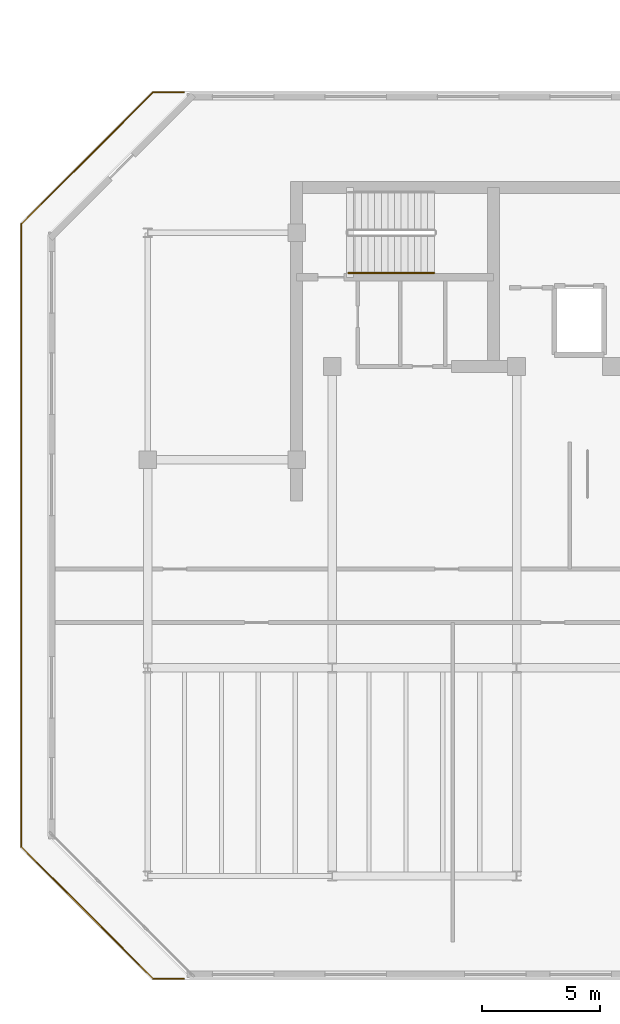
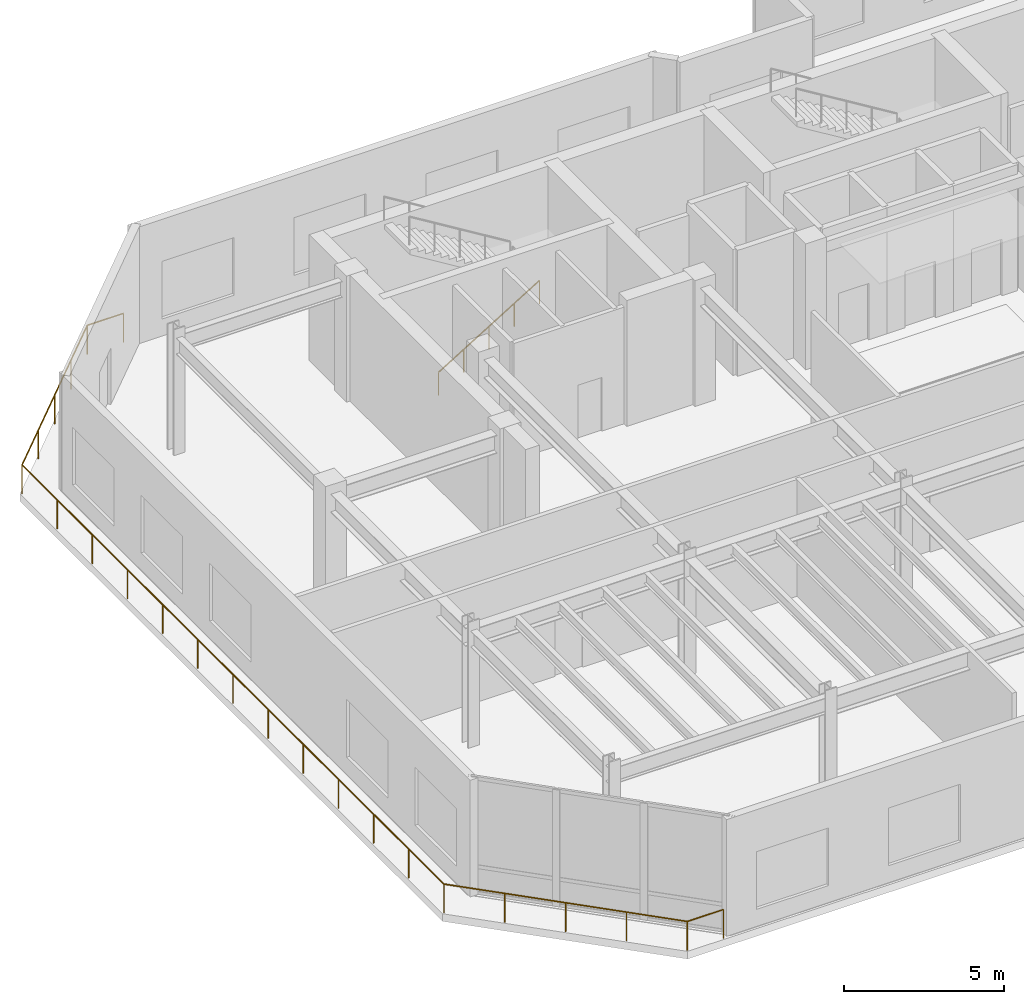
# One storey, part 10 of 12: 2 railings.
"""IFC4 building model written with IfcOpenShell, lengths in metres."""

import ifcopenshell
import ifcopenshell.guid

model = None  # the IFC model being written
_history = None  # IfcOwnerHistory: only IFC2X3 demands one
_inside = {}  # id of a spatial element -> (the spatial element, [elements in it])
_under = {}  # id of a project, library or spatial element -> (it, [spatial elements below it])
_declared = {}  # id of a project -> (the project, [libraries it declares])
_typed = {}  # id of a type object -> (the type object, [elements of that type])
_made_of = {}  # id of a material, layer set ... -> (it, [elements and type objects made of it])


def new_model(schema):
    """Start an empty IFC model of exactly this schema.

    Asked for "IFC4X3", IfcOpenShell would pick the latest addendum, in which some entities
    have other attributes; the version numbers below select the first issue.
    IFC2X3 requires an IfcOwnerHistory on every rooted entity: one is made here for all.
    """
    global model, _history
    if schema == "IFC4X3":
        model = ifcopenshell.file(schema_version=(4, 3, 0, 0))
    else:
        model = ifcopenshell.file(schema=schema)
    _inside.clear()
    _under.clear()
    _declared.clear()
    _typed.clear()
    _made_of.clear()
    _history = None
    if model.schema == "IFC2X3":
        org = make("IfcOrganization", Name="unknown")
        user = make(
            "IfcPersonAndOrganization",
            ThePerson=make("IfcPerson", FamilyName="unknown"),
            TheOrganization=org,
        )
        app = make(
            "IfcApplication",
            ApplicationDeveloper=org,
            Version="unknown",
            ApplicationFullName="unknown",
            ApplicationIdentifier="unknown",
        )
        _history = make(
            "IfcOwnerHistory",
            OwningUser=user,
            OwningApplication=app,
            ChangeAction="ADDED",
            CreationDate=0,
        )
    return model


def make(cls, **values):
    """One entity of the class cls with the attributes given. An attribute that is None is left unset."""
    return model.create_entity(
        cls, **{name: value for name, value in values.items() if value is not None}
    )


def rooted(cls, **values):
    """An entity with a GlobalId (a new one), such as an element, a storey or a relation."""
    return make(cls, GlobalId=ifcopenshell.guid.new(), OwnerHistory=_history, **values)


def si_unit(unit_type, name, prefix=None):
    """IfcSIUnit, for example si_unit("LENGTHUNIT", "METRE", prefix="MILLI")."""
    return make("IfcSIUnit", UnitType=unit_type, Prefix=prefix, Name=name)


def assignment(units):
    """IfcUnitAssignment: the units of a project."""
    return None if units is None else make("IfcUnitAssignment", Units=units)


def point(xyz):
    """IfcCartesianPoint."""
    return None if xyz is None else make("IfcCartesianPoint", Coordinates=xyz)


def direction(xyz):
    """IfcDirection."""
    return None if xyz is None else make("IfcDirection", DirectionRatios=xyz)


def frame(location, z_axis=None, x_axis=None):
    """IfcAxis2Placement3D, a coordinate frame: its origin and axes. An axis left out is left unset."""
    return make(
        "IfcAxis2Placement3D",
        Location=point(location),
        Axis=direction(z_axis),
        RefDirection=direction(x_axis),
    )


def frame_2d(location, x_axis=None):
    """IfcAxis2Placement2D, a coordinate frame in the plane: its origin and x axis."""
    return make(
        "IfcAxis2Placement2D", Location=point(location), RefDirection=direction(x_axis)
    )


def origin():
    """The frame at (0, 0, 0) with its axes left unset."""
    return frame((0.0, 0.0, 0.0))


def origin_2d():
    """The frame at (0, 0) in the plane with its x axis left unset."""
    return frame_2d((0.0, 0.0))


def place(relative_to, where):
    """IfcLocalPlacement: puts the frame where relative to a parent placement (None: the world)."""
    return make(
        "IfcLocalPlacement", PlacementRelTo=relative_to, RelativePlacement=where
    )


def context(
    kind, dimensions, precision=None, world=None, true_north=None, identifier=None
):
    """IfcGeometricRepresentationContext, for example the 3D "Model" context."""
    return make(
        "IfcGeometricRepresentationContext",
        ContextIdentifier=identifier,
        ContextType=kind,
        CoordinateSpaceDimension=dimensions,
        Precision=precision,
        WorldCoordinateSystem=world,
        TrueNorth=true_north,
    )


def subcontext(parent, identifier, kind, view, scale=None):
    """IfcGeometricRepresentationSubContext, for example "Body" below "Model"."""
    return make(
        "IfcGeometricRepresentationSubContext",
        ContextIdentifier=identifier,
        ContextType=kind,
        ParentContext=parent,
        TargetScale=scale,
        TargetView=view,
    )


def project(units=None, contexts=None):
    """IfcProject with its units and contexts."""
    return rooted(
        "IfcProject",
        Name="project",
        RepresentationContexts=contexts,
        UnitsInContext=assignment(units),
    )


def spatial(cls, under=None, at=None, **own):
    """A site, building, storey or space (cls), placed at a placement, below another one or the project."""
    s = rooted(cls, ObjectPlacement=at, **own)
    if under is not None:
        _under.setdefault(under.id(), (under, []))[1].append(s)
    return s


def profile(cls, at=None, kind="AREA", **sizes):
    """A parametric profile (cls). Its sizes go by their IFC names, for example OverallWidth=200.0."""
    return make(cls, ProfileType=kind, Position=at, **sizes)


def circle(**sizes):
    """IfcCircleProfileDef."""
    return profile("IfcCircleProfileDef", **sizes)


def extrude(swept, where, along, depth):
    """IfcExtrudedAreaSolid: the profile swept, set in the frame where, extruded along a direction by depth."""
    return make(
        "IfcExtrudedAreaSolid",
        SweptArea=swept,
        Position=where,
        ExtrudedDirection=direction(along),
        Depth=depth,
    )


def shape(context_of_items, identifier, shape_type, items):
    """IfcShapeRepresentation: the items that make up one representation, for example the "Body"."""
    return make(
        "IfcShapeRepresentation",
        ContextOfItems=context_of_items,
        RepresentationIdentifier=identifier,
        RepresentationType=shape_type,
        Items=items,
    )


def material(Name=None, Category=None):
    """IfcMaterial."""
    return make("IfcMaterial", Name=Name, Category=Category)


def made_of(thing, what):
    """Note that an element or type object is made of a material, layer set ...; save() writes the relation."""
    if what is not None:
        _made_of.setdefault(what.id(), (what, []))[1].append(thing)
    return thing


def type_object(cls, material=None, **own):
    """A type object (cls), such as IfcWallType, which elements share."""
    return made_of(rooted(cls, **own), material)


def element(
    cls,
    number,
    at=None,
    inside=None,
    cuts=None,
    type_object=None,
    material=None,
    context=None,
    identifier="Body",
    shape_type=None,
    held_by="IfcProductDefinitionShape",
    body=None,
    shapes=None,
    **own,
):
    """One element of the class cls, such as IfcWall. Its Tag is "e" and its number.

    at: its placement. inside: the storey or other place that contains it. cuts: it is an
    opening in that element (IfcRelVoidsElement). A single representation is given by context,
    identifier, shape_type and body (its items); several are given by shapes. held_by: the class
    of the entity that holds the representations. save() writes the other relations.
    """
    e = rooted(cls, Tag="e%d" % number, ObjectPlacement=at, **own)
    if body is not None:
        shapes = [shape(context, identifier, shape_type, body)]
    if shapes is not None:
        e.Representation = make(held_by, Representations=shapes)
    if inside is not None:
        _inside.setdefault(inside.id(), (inside, []))[1].append(e)
    if cuts is not None:
        rooted(
            "IfcRelVoidsElement", RelatingBuildingElement=cuts, RelatedOpeningElement=e
        )
    if type_object is not None:
        _typed.setdefault(type_object.id(), (type_object, []))[1].append(e)
    return made_of(e, material)


def aggregate(whole, parts):
    """IfcRelAggregates: a whole, such as a stair, and the parts it consists of."""
    return rooted("IfcRelAggregates", RelatingObject=whole, RelatedObjects=parts)


def save(model, path):
    """Write the relations noted so far, then the file.

    IfcRelAggregates (storeys below a building ...), IfcRelContainedInSpatialStructure (elements
    in a storey), IfcRelDefinesByType, IfcRelAssociatesMaterial and IfcRelDeclares: one each for
    every whole, place, type object, material and project.
    """
    for whole, parts in _under.values():
        aggregate(whole, parts)
    for where, things in _inside.values():
        rooted(
            "IfcRelContainedInSpatialStructure",
            RelatedElements=things,
            RelatingStructure=where,
        )
    for kind, things in _typed.values():
        rooted("IfcRelDefinesByType", RelatedObjects=things, RelatingType=kind)
    for what, things in _made_of.values():
        rooted("IfcRelAssociatesMaterial", RelatedObjects=things, RelatingMaterial=what)
    for by, libraries in _declared.values():
        rooted("IfcRelDeclares", RelatingContext=by, RelatedDefinitions=libraries)
    model.write(path)


model = new_model("IFC4")

# Units and contexts
model_context = context("Model", 3, precision=1e-05, world=origin(), true_north=direction((0.0, 1.0)))
body_context = subcontext(model_context, "Body", "Model", "MODEL_VIEW")
ifc_project = project(units=[si_unit("LENGTHUNIT", "METRE"), si_unit("AREAUNIT", "SQUARE_METRE"), si_unit("VOLUMEUNIT", "CUBIC_METRE"), si_unit("PLANEANGLEUNIT", "RADIAN"), si_unit("MASSUNIT", "GRAM", prefix="KILO")], contexts=[model_context])

# Site, building, storey
site_placement = place(None, origin())
site = spatial("IfcSite", under=ifc_project, at=site_placement, CompositionType="ELEMENT")
building_placement = place(site_placement, origin())
building = spatial("IfcBuilding", under=site, at=building_placement, Name="Kestravale Grand Hotel", CompositionType="ELEMENT")
storey_placement = place(building_placement, frame((0.0, 0.0, 306.60009765625)))
storey = spatial("IfcBuildingStorey", under=building, at=storey_placement, Name="L76", CompositionType="ELEMENT", Elevation=306.60009765625)

# Railings
ifc_material_1 = material(Name="Champagne-bronze stainless steel and laminated glass guard", Category="steel")
railing_type_1 = type_object("IfcRailingType", Name="RL-EXT-1100", PredefinedType="GUARDRAIL", material=ifc_material_1)
railing_1_placement = place(storey_placement, frame((17.12890625, 6.860107421875, 0.0)))
element("IfcRailing", 1, at=railing_1_placement, inside=storey, type_object=railing_type_1, Name="L76 outdoor terrace guard 1", PredefinedType="GUARDRAIL", context=body_context, shape_type="SweptSolid", body=[
    extrude(circle(Radius=0.02392578125, at=origin_2d()), frame((0.0, 0.0, 1.09619140625), z_axis=(-1.0, 0.0, 0.0), x_axis=(0.0, -1.0, 0.0)), (0.0, 0.0, 1.0), 1.303955078125),
    extrude(circle(Radius=0.02392578125, at=origin_2d()), frame((-1.303955078125, 0.0, 1.09619140625), z_axis=(-0.707122292166, 0.707091269867, 0.0), x_axis=(-0.707091269867, -0.707122292166, 0.0)), (0.0, 0.0, 1.0), 7.869873046875),
    extrude(circle(Radius=0.02392578125, at=origin_2d()), frame((-6.868896484375, 5.564697265625, 1.09619140625), z_axis=(0.0, 1.0, 0.0), x_axis=(-1.0, 0.0, 0.0)), (0.0, 0.0, 1.0), 26.350341796875),
    extrude(circle(Radius=0.02392578125, at=origin_2d()), frame((-6.868896484375, 31.9150390625, 1.09619140625), z_axis=(0.707106781187, 0.707106781187, 0.0), x_axis=(-0.707106781187, 0.707106781187, 0.0)), (0.0, 0.0, 1.0), 7.8701171875),
    extrude(circle(Radius=0.02392578125, at=origin_2d()), frame((-1.303955078125, 37.47998046875, 1.09619140625), z_axis=(1.0, 0.0, 0.0), x_axis=(0.0, 1.0, 0.0)), (0.0, 0.0, 1.0), 1.303955078125),
    extrude(circle(Radius=0.02099609375, at=origin_2d()), origin(), (0.0, 0.0, 1.0), 1.072021484375),
    extrude(circle(Radius=0.02099609375, at=origin_2d()), frame((-1.303955078125, 0.0, 0.0)), (0.0, 0.0, 1.0), 1.072021484375),
    extrude(circle(Radius=0.02099609375, at=origin_2d()), frame((-2.6953125, 1.39111328125, 0.0)), (0.0, 0.0, 1.0), 1.072021484375),
    extrude(circle(Radius=0.02099609375, at=origin_2d()), frame((-4.08642578125, 2.7822265625, 0.0)), (0.0, 0.0, 1.0), 1.072021484375),
    extrude(circle(Radius=0.02099609375, at=origin_2d()), frame((-5.4775390625, 4.173583984375, 0.0)), (0.0, 0.0, 1.0), 1.072021484375),
    extrude(circle(Radius=0.02099609375, at=origin_2d()), frame((-6.868896484375, 5.564697265625, 0.0)), (0.0, 0.0, 1.0), 1.072021484375),
    extrude(circle(Radius=0.02099609375, at=origin_2d()), frame((-6.868896484375, 7.760498046875, 0.0)), (0.0, 0.0, 1.0), 1.072021484375),
    extrude(circle(Radius=0.02099609375, at=origin_2d()), frame((-6.868896484375, 9.95654296875, 0.0)), (0.0, 0.0, 1.0), 1.072021484375),
    extrude(circle(Radius=0.02099609375, at=origin_2d()), frame((-6.868896484375, 12.15234375, 0.0)), (0.0, 0.0, 1.0), 1.072021484375),
    extrude(circle(Radius=0.02099609375, at=origin_2d()), frame((-6.868896484375, 14.34814453125, 0.0)), (0.0, 0.0, 1.0), 1.072021484375),
    extrude(circle(Radius=0.02099609375, at=origin_2d()), frame((-6.868896484375, 16.5439453125, 0.0)), (0.0, 0.0, 1.0), 1.072021484375),
    extrude(circle(Radius=0.02099609375, at=origin_2d()), frame((-6.868896484375, 18.73974609375, 0.0)), (0.0, 0.0, 1.0), 1.072021484375),
    extrude(circle(Radius=0.02099609375, at=origin_2d()), frame((-6.868896484375, 20.935791015625, 0.0)), (0.0, 0.0, 1.0), 1.072021484375),
    extrude(circle(Radius=0.02099609375, at=origin_2d()), frame((-6.868896484375, 23.131591796875, 0.0)), (0.0, 0.0, 1.0), 1.072021484375),
    extrude(circle(Radius=0.02099609375, at=origin_2d()), frame((-6.868896484375, 25.327392578125, 0.0)), (0.0, 0.0, 1.0), 1.072021484375),
    extrude(circle(Radius=0.02099609375, at=origin_2d()), frame((-6.868896484375, 27.5234375, 0.0)), (0.0, 0.0, 1.0), 1.072021484375),
    extrude(circle(Radius=0.02099609375, at=origin_2d()), frame((-6.868896484375, 29.71923828125, 0.0)), (0.0, 0.0, 1.0), 1.072021484375),
    extrude(circle(Radius=0.02099609375, at=origin_2d()), frame((-6.868896484375, 31.9150390625, 0.0)), (0.0, 0.0, 1.0), 1.072021484375),
    extrude(circle(Radius=0.02099609375, at=origin_2d()), frame((-5.4775390625, 33.30615234375, 0.0)), (0.0, 0.0, 1.0), 1.072021484375),
    extrude(circle(Radius=0.02099609375, at=origin_2d()), frame((-4.08642578125, 34.697509765625, 0.0)), (0.0, 0.0, 1.0), 1.072021484375),
    extrude(circle(Radius=0.02099609375, at=origin_2d()), frame((-2.6953125, 36.0888671875, 0.0)), (0.0, 0.0, 1.0), 1.072021484375),
    extrude(circle(Radius=0.02099609375, at=origin_2d()), frame((-1.303955078125, 37.47998046875, 0.0)), (0.0, 0.0, 1.0), 1.072021484375),
    extrude(circle(Radius=0.02099609375, at=origin_2d()), frame((0.0, 37.47998046875, 0.0)), (0.0, 0.0, 1.0), 1.072021484375),
])
ifc_material_2 = material(Name="Brushed stainless steel wall handrail", Category="steel")
railing_type_2 = type_object("IfcRailingType", Name="RL-ST-HND900", PredefinedType="HANDRAIL", material=ifc_material_2)
railing_2_placement = place(storey_placement, frame((24.080078125, 36.699951171875, 0.17138671875)))
element("IfcRailing", 2, at=railing_2_placement, inside=storey, type_object=railing_type_2, Name="L76 ST-1 stair handrail 1", PredefinedType="HANDRAIL", context=body_context, shape_type="SweptSolid", body=[
    extrude(circle(Radius=0.02392578125, at=origin_2d()), frame((0.0, 0.0, 0.8759765625), z_axis=(0.852850264322, 0.0, 0.5221555579), x_axis=(0.0, 1.0, 0.0)), (0.0, 0.0, 1.0), 4.267822265625),
    extrude(circle(Radius=0.02099609375, at=origin_2d()), origin(), (0.0, 0.0, 1.0), 0.851806640625),
    extrude(circle(Radius=0.02099609375, at=origin_2d()), frame((0.909912109375, 0.0, 0.55712890625)), (0.0, 0.0, 1.0), 0.851806640625),
    extrude(circle(Radius=0.02099609375, at=origin_2d()), frame((1.81982421875, 0.0, 1.1142578125)), (0.0, 0.0, 1.0), 0.851806640625),
    extrude(circle(Radius=0.02099609375, at=origin_2d()), frame((2.72998046875, 0.0, 1.67138671875)), (0.0, 0.0, 1.0), 0.851806640625),
    extrude(circle(Radius=0.02099609375, at=origin_2d()), frame((3.639892578125, 0.0, 2.228515625)), (0.0, 0.0, 1.0), 0.851806640625),
])

save(model, "model.ifc")
